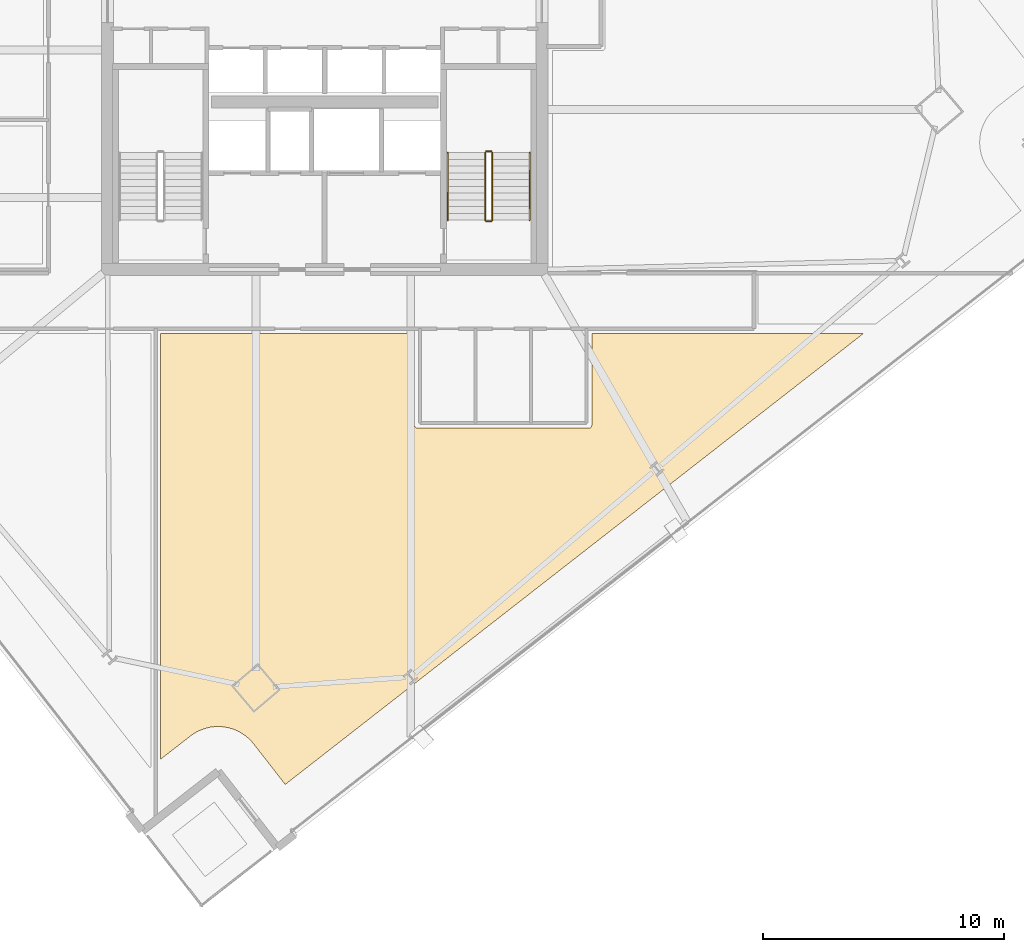
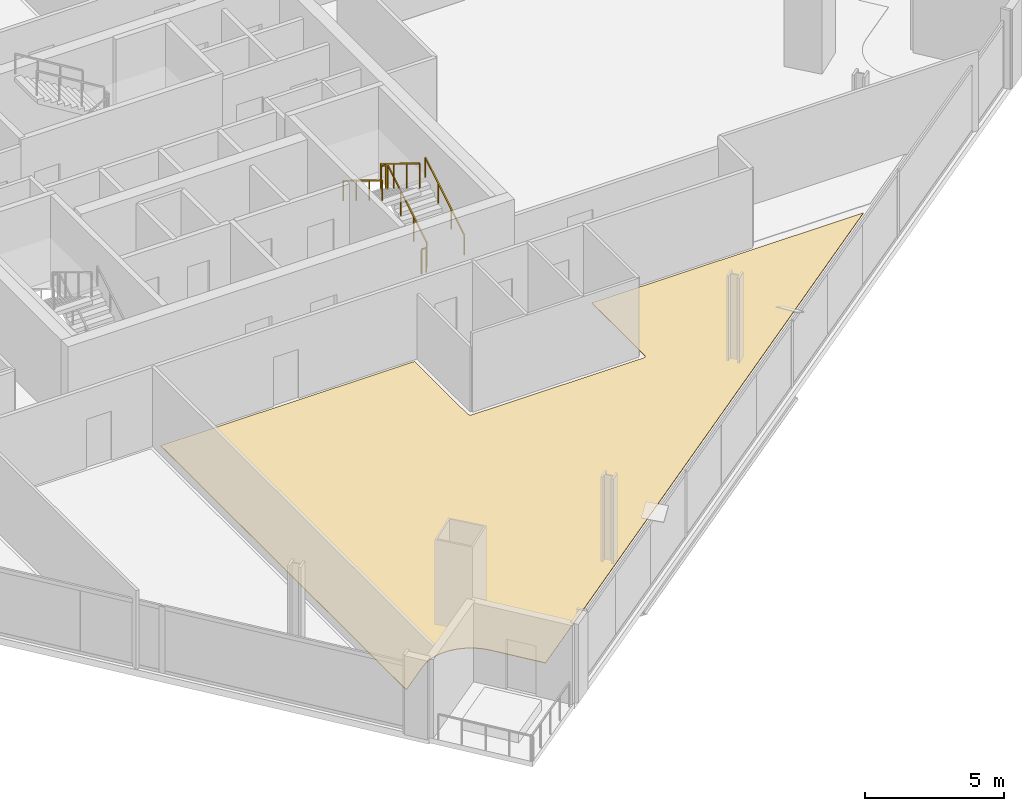
# One storey, part 29 of 32: 6 railings, 1 covering.
"""IFC4 building model written with IfcOpenShell, lengths in metres."""

from ifc_helpers import new_model, si_unit, direction, frame, origin, origin_2d, place, context, subcontext, project, spatial, polyline, rectangle, outline, extrude, material, layer, layer_set, type_object, element, save


model = new_model("IFC4")

# Units and contexts
model_context = context("Model", 3, precision=1e-05, world=origin(), true_north=direction((0.0, 1.0)))
body_context = subcontext(model_context, "Body", "Model", "MODEL_VIEW")
ifc_project = project(units=[si_unit("LENGTHUNIT", "METRE"), si_unit("AREAUNIT", "SQUARE_METRE"), si_unit("VOLUMEUNIT", "CUBIC_METRE"), si_unit("PLANEANGLEUNIT", "RADIAN"), si_unit("MASSUNIT", "GRAM", prefix="KILO")], contexts=[model_context])

# Site, building, storey
site_placement = place(None, origin())
site = spatial("IfcSite", under=ifc_project, at=site_placement, CompositionType="ELEMENT")
building_placement = place(site_placement, origin())
building = spatial("IfcBuilding", under=site, at=building_placement, Name="Haldenkirk Collegiate Tower", CompositionType="ELEMENT")
storey_placement = place(building_placement, frame((0.0, 0.0, 155.699951171875)))
storey = spatial("IfcBuildingStorey", under=building, at=storey_placement, Name="L38", CompositionType="ELEMENT", Elevation=155.699951171875)

# Covering
ifc_material_1 = material(Name="Polished collegiate terrazzo", Category="concrete")
ifc_layer = layer(ifc_material_1, 0.02490234375)
ifc_layer_set = layer_set([ifc_layer], Name="Polished collegiate terrazzo")
covering_type = type_object("IfcCoveringType", Name="COV-FLOOR-TERRAZZO", PredefinedType="FLOORING", material=ifc_layer_set)
covering_placement = place(storey_placement, origin())
element("IfcCovering", 1, at=covering_placement, inside=storey, type_object=covering_type, Name="L38 academic room finish 04", PredefinedType="FLOORING", context=body_context, shape_type="SweptSolid", body=[
    extrude(outline(polyline([(32.345947265625, -1.1015625), (32.335205078125, -1.096923828125), (32.175048828125, -1.034912109375), (32.163818359375, -1.03125), (31.998291015625, -0.9853515625), (31.98681640625, -0.98291015625), (31.817626953125, -0.953369140625), (31.805908203125, -0.951904296875), (31.634765625, -0.939208984375), (31.622802734375, -0.93896484375), (31.451171875, -0.943115234375), (31.439453125, -0.944091796875), (31.26904296875, -0.965087890625), (31.257568359375, -0.967041015625), (31.08984375, -1.00439453125), (31.078369140625, -1.0078125), (30.915283203125, -1.0615234375), (30.904296875, -1.06591796875), (30.747314453125, -1.13525390625), (30.73681640625, -1.140625), (30.58740234375, -1.22509765625), (30.577392578125, -1.2314453125), (30.43701171875, -1.330322265625), (30.432373046875, -1.333740234375), (29.199951171875, -2.294921875), (29.199951171875, 15.35009765625), (39.72998046875, 15.35009765625), (39.72998046875, 11.550048828125), (39.730712890625, 11.5380859375), (39.732421875, 11.526611328125), (39.735107421875, 11.51513671875), (39.739013671875, 11.504150390625), (39.744140625, 11.493408203125), (39.750244140625, 11.4833984375), (39.757080078125, 11.473876953125), (39.76513671875, 11.465087890625), (39.77392578125, 11.457275390625), (39.783203125, 11.4501953125), (39.79345703125, 11.444091796875), (39.80419921875, 11.439208984375), (39.815185546875, 11.435302734375), (39.82666015625, 11.432373046875), (39.838134765625, 11.4306640625), (39.85009765625, 11.429931640625), (46.949951171875, 11.429931640625), (46.9619140625, 11.4306640625), (46.973388671875, 11.432373046875), (46.98486328125, 11.435302734375), (46.995849609375, 11.439208984375), (47.006591796875, 11.444091796875), (47.0166015625, 11.4501953125), (47.026123046875, 11.457275390625), (47.034912109375, 11.465087890625), (47.042724609375, 11.473876953125), (47.0498046875, 11.4833984375), (47.055908203125, 11.493408203125), (47.060791015625, 11.504150390625), (47.064697265625, 11.51513671875), (47.067626953125, 11.526611328125), (47.0693359375, 11.5380859375), (47.070068359375, 11.550048828125), (47.070068359375, 15.35009765625), (58.329345703125, 15.35009765625), (34.36669921875, -3.337890625), (33.056884765625, -1.658447265625), (33.05322265625, -1.65380859375), (32.94091796875, -1.523681640625), (32.932861328125, -1.51513671875), (32.80859375, -1.396728515625), (32.799560546875, -1.38916015625), (32.664306640625, -1.283447265625), (32.65478515625, -1.276611328125), (32.509765625, -1.184814453125), (32.499267578125, -1.1787109375), (32.345947265625, -1.1015625)])), origin(), (0.0, 0.0, 1.0), 0.025146484375),
])

# Railings
ifc_material_2 = material(Name="Painted architectural tubular steel", Category="steel")
railing_type_1 = type_object("IfcRailingType", Name="RLG-STAIR-GUARD-1100", PredefinedType="BALUSTRADE", material=ifc_material_2)
railing_1_placement = place(storey_placement, frame((42.949951171875, 20.050048828125, 0.17041015625)))
element("IfcRailing", 2, at=railing_1_placement, inside=storey, type_object=railing_type_1, Name="L38 ST-2 stair guard 1", PredefinedType="BALUSTRADE", context=body_context, shape_type="SweptSolid", body=[
    extrude(rectangle(XDim=0.048095703125, YDim=0.048095703125, at=origin_2d()), frame((0.0, 0.0, 1.076171875), z_axis=(0.0, 0.854169791009, 0.51999420009), x_axis=(-1.0, 0.0, 0.0)), (0.0, 0.0, 1.0), 3.278076171875),
    extrude(rectangle(XDim=0.0419921875, YDim=0.0419921875, at=origin_2d()), origin(), (0.0, 0.0, 1.0), 1.052001953125),
    extrude(rectangle(XDim=0.0419921875, YDim=0.0419921875, at=origin_2d()), frame((0.0, 0.933349609375, 0.568115234375)), (0.0, 0.0, 1.0), 1.052001953125),
    extrude(rectangle(XDim=0.0419921875, YDim=0.0419921875, at=origin_2d()), frame((0.0, 1.86669921875, 1.136474609375)), (0.0, 0.0, 1.0), 1.052001953125),
    extrude(rectangle(XDim=0.0419921875, YDim=0.0419921875, at=origin_2d()), frame((0.0, 2.800048828125, 1.70458984375)), (0.0, 0.0, 1.0), 1.052001953125),
])
railing_2_placement = place(storey_placement, frame((42.89990234375, 22.89990234375, 1.875)))
element("IfcRailing", 3, at=railing_2_placement, inside=storey, type_object=railing_type_1, Name="L38 ST-2 stair guard 2", PredefinedType="BALUSTRADE", context=body_context, shape_type="SweptSolid", body=[
    extrude(rectangle(XDim=0.048095703125, YDim=0.048095703125, at=origin_2d()), frame((0.0, 0.0, 1.076171875), z_axis=(-1.0, 0.0, 0.0), x_axis=(0.0, -1.0, 0.0)), (0.0, 0.0, 1.0), 0.199951171875),
    extrude(rectangle(XDim=0.0419921875, YDim=0.0419921875, at=origin_2d()), origin(), (0.0, 0.0, 1.0), 1.052001953125),
    extrude(rectangle(XDim=0.0419921875, YDim=0.0419921875, at=origin_2d()), frame((-0.199951171875, 0.0, 0.0)), (0.0, 0.0, 1.0), 1.052001953125),
])
railing_3_placement = place(storey_placement, frame((42.64990234375, 22.85009765625, 2.04541015625)))
element("IfcRailing", 4, at=railing_3_placement, inside=storey, type_object=railing_type_1, Name="L38 ST-2 stair guard 3", PredefinedType="BALUSTRADE", context=body_context, shape_type="SweptSolid", body=[
    extrude(rectangle(XDim=0.048095703125, YDim=0.048095703125, at=origin_2d()), frame((0.0, 0.0, 1.076171875), z_axis=(0.0, -0.854169791009, 0.51999420009), x_axis=(1.0, 0.0, 0.0)), (0.0, 0.0, 1.0), 3.278076171875),
    extrude(rectangle(XDim=0.0419921875, YDim=0.0419921875, at=origin_2d()), origin(), (0.0, 0.0, 1.0), 1.052001953125),
    extrude(rectangle(XDim=0.0419921875, YDim=0.0419921875, at=origin_2d()), frame((0.0, -0.933349609375, 0.568115234375)), (0.0, 0.0, 1.0), 1.052001953125),
    extrude(rectangle(XDim=0.0419921875, YDim=0.0419921875, at=origin_2d()), frame((0.0, -1.86669921875, 1.136474609375)), (0.0, 0.0, 1.0), 1.052001953125),
    extrude(rectangle(XDim=0.0419921875, YDim=0.0419921875, at=origin_2d()), frame((0.0, -2.800048828125, 1.70458984375)), (0.0, 0.0, 1.0), 1.052001953125),
])
railing_4_placement = place(storey_placement, frame((42.89990234375, 20.0, 0.0)))
element("IfcRailing", 5, at=railing_4_placement, inside=storey, type_object=railing_type_1, Name="L38 ST-2 stair guard 4", PredefinedType="BALUSTRADE", context=body_context, shape_type="SweptSolid", body=[
    extrude(rectangle(XDim=0.048095703125, YDim=0.048095703125, at=origin_2d()), frame((0.0, 0.0, 1.076171875), z_axis=(-1.0, 0.0, 0.0), x_axis=(0.0, -1.0, 0.0)), (0.0, 0.0, 1.0), 0.199951171875),
    extrude(rectangle(XDim=0.0419921875, YDim=0.0419921875, at=origin_2d()), origin(), (0.0, 0.0, 1.0), 1.052001953125),
    extrude(rectangle(XDim=0.0419921875, YDim=0.0419921875, at=origin_2d()), frame((-0.199951171875, 0.0, 0.0)), (0.0, 0.0, 1.0), 1.052001953125),
])
railing_type_2 = type_object("IfcRailingType", Name="RLG-STAIR-HANDRAIL-900", PredefinedType="HANDRAIL", material=ifc_material_2)
railing_5_placement = place(storey_placement, frame((44.5, 20.050048828125, 0.17041015625)))
element("IfcRailing", 6, at=railing_5_placement, inside=storey, type_object=railing_type_2, Name="L38 ST-2 stair handrail 1", PredefinedType="HANDRAIL", context=body_context, shape_type="SweptSolid", body=[
    extrude(rectangle(XDim=0.048095703125, YDim=0.048095703125, at=origin_2d()), frame((0.0, 0.0, 0.8759765625), z_axis=(0.0, 0.854169791009, 0.51999420009), x_axis=(-1.0, 0.0, 0.0)), (0.0, 0.0, 1.0), 3.278076171875),
    extrude(rectangle(XDim=0.0419921875, YDim=0.0419921875, at=origin_2d()), origin(), (0.0, 0.0, 1.0), 0.851806640625),
    extrude(rectangle(XDim=0.0419921875, YDim=0.0419921875, at=origin_2d()), frame((0.0, 0.933349609375, 0.568115234375)), (0.0, 0.0, 1.0), 0.851806640625),
    extrude(rectangle(XDim=0.0419921875, YDim=0.0419921875, at=origin_2d()), frame((0.0, 1.86669921875, 1.136474609375)), (0.0, 0.0, 1.0), 0.851806640625),
    extrude(rectangle(XDim=0.0419921875, YDim=0.0419921875, at=origin_2d()), frame((0.0, 2.800048828125, 1.70458984375)), (0.0, 0.0, 1.0), 0.851806640625),
])
railing_6_placement = place(storey_placement, frame((41.10009765625, 22.85009765625, 2.04541015625)))
element("IfcRailing", 7, at=railing_6_placement, inside=storey, type_object=railing_type_2, Name="L38 ST-2 stair handrail 2", PredefinedType="HANDRAIL", context=body_context, shape_type="SweptSolid", body=[
    extrude(rectangle(XDim=0.048095703125, YDim=0.048095703125, at=origin_2d()), frame((0.0, 0.0, 0.8759765625), z_axis=(0.0, -0.854169791009, 0.51999420009), x_axis=(1.0, 0.0, 0.0)), (0.0, 0.0, 1.0), 3.278076171875),
    extrude(rectangle(XDim=0.0419921875, YDim=0.0419921875, at=origin_2d()), origin(), (0.0, 0.0, 1.0), 0.851806640625),
    extrude(rectangle(XDim=0.0419921875, YDim=0.0419921875, at=origin_2d()), frame((0.0, -0.933349609375, 0.568115234375)), (0.0, 0.0, 1.0), 0.851806640625),
    extrude(rectangle(XDim=0.0419921875, YDim=0.0419921875, at=origin_2d()), frame((0.0, -1.86669921875, 1.136474609375)), (0.0, 0.0, 1.0), 0.851806640625),
    extrude(rectangle(XDim=0.0419921875, YDim=0.0419921875, at=origin_2d()), frame((0.0, -2.800048828125, 1.70458984375)), (0.0, 0.0, 1.0), 0.851806640625),
])

save(model, "model.ifc")
